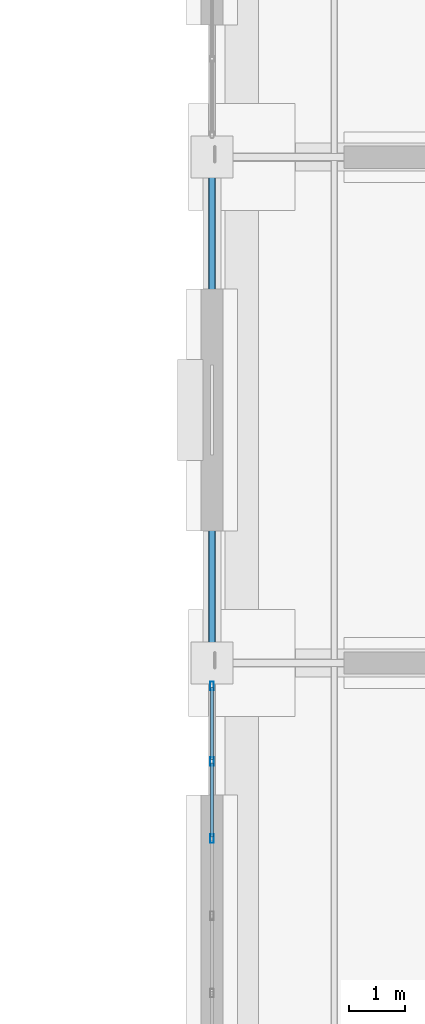
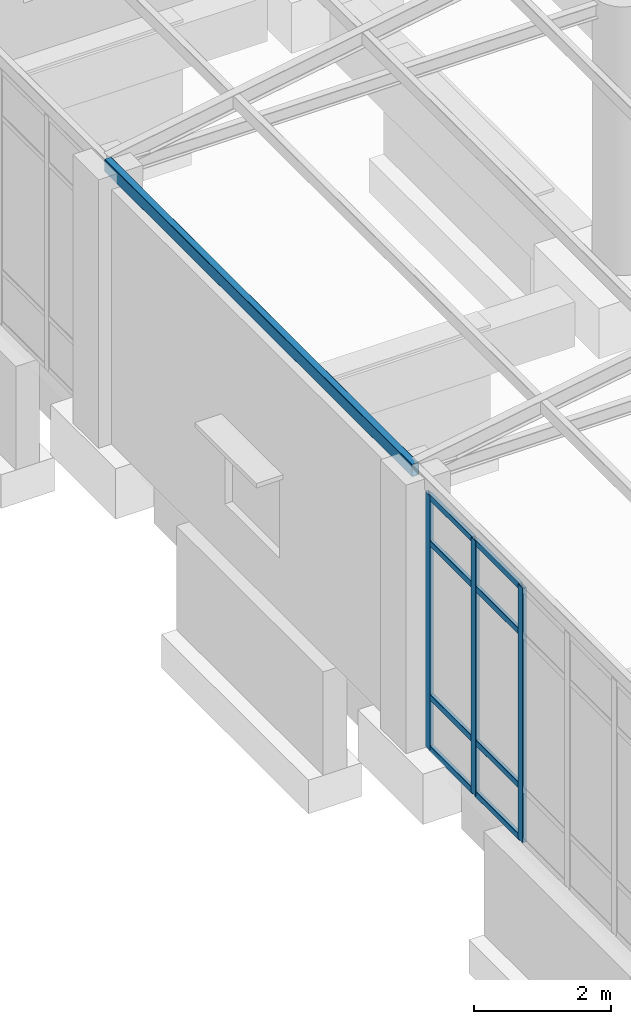
# One storey, part 66 of 111: 12 members, 1 element without a shape of its own.
"""IFC4 building model written with IfcOpenShell, lengths in metres."""

from ifc_helpers import new_model, si_unit, direction, frame, origin, origin_2d, place, context, subcontext, project, spatial, hollow_rectangle, extrude, material, material_profile, profile_set, type_object, element, aggregate, save


model = new_model("IFC4")

# Units and contexts
model_context = context("Model", 3, precision=1e-05, world=origin(), true_north=direction((0.0, 1.0)))
body_context = subcontext(model_context, "Body", "Model", "MODEL_VIEW")
ifc_project = project(units=[si_unit("LENGTHUNIT", "METRE"), si_unit("AREAUNIT", "SQUARE_METRE"), si_unit("VOLUMEUNIT", "CUBIC_METRE"), si_unit("PLANEANGLEUNIT", "RADIAN"), si_unit("MASSUNIT", "GRAM", prefix="KILO")], contexts=[model_context])

# Site, building, storey
site_placement = place(None, origin())
site = spatial("IfcSite", under=ifc_project, at=site_placement, CompositionType="ELEMENT")
building_placement = place(site_placement, origin())
building = spatial("IfcBuilding", under=site, at=building_placement, Name="Canglan Escarpment Cableway Terminal", CompositionType="ELEMENT")
storey_placement = place(building_placement, frame((0.0, 0.0, 4.800048828125)))
storey = spatial("IfcBuildingStorey", under=building, at=storey_placement, Name="L01", CompositionType="ELEMENT", Elevation=4.800048828125)

# Curtain wall, members
ifc_material_1 = material(Name="Anodized bronze aluminium and Low-E double glazing", Category="aluminium")
curtain_wall_type = type_object("IfcCurtainWallType", Name="CW-BAY-8250x4550", PredefinedType="NOTDEFINED", material=ifc_material_1)
curtain_wall_placement = place(storey_placement, origin())
curtain_wall = element("IfcCurtainWall", 1, at=curtain_wall_placement, inside=storey, type_object=curtain_wall_type, Name="Classical bay-between-piers glazed curtain wall CW-42", PredefinedType="NOTDEFINED")
ifc_material_2 = material(Name="Thermally broken anodized aluminium 6063-T6", Category="aluminium")
ifc_material_profile_1 = material_profile(ifc_material_2, hollow_rectangle(XDim=0.06494140625, YDim=0.14990234375, WallThickness=0.00341796875, InnerFilletRadius=0.00341796875, OuterFilletRadius=0.007080078125, at=origin_2d()), Name="ALU-MULL 65x150x3.5")
ifc_profile_set_1 = profile_set([ifc_material_profile_1], Name="Thermally broken anodized aluminium 6063-T6")
member_type_1 = type_object("IfcMemberType", Name="CWM-02", PredefinedType="MULLION", material=ifc_profile_set_1)
member_1_placement = place(storey_placement, frame((167.300048828125, 105.592529296875, 0.0), z_axis=(0.0, 0.0, 1.0), x_axis=(1.0, 0.0, 0.0)))
member_1 = element("IfcMember", 2, at=member_1_placement, type_object=member_type_1, Name="CW-42 mullion 1", PredefinedType="MULLION", context=body_context, shape_type="SweptSolid", body=[
    extrude(hollow_rectangle(XDim=0.06494140625, YDim=0.14990234375, WallThickness=0.00341796875, InnerFilletRadius=0.00341796875, OuterFilletRadius=0.007080078125, at=origin_2d()), origin(), (0.0, 0.0, 1.0), 4.550048828125),
])
member_2_placement = place(storey_placement, frame((167.300048828125, 104.25, 0.0), z_axis=(0.0, 0.0, 1.0), x_axis=(1.0, 0.0, 0.0)))
member_2 = element("IfcMember", 3, at=member_2_placement, type_object=member_type_1, Name="CW-42 mullion 2", PredefinedType="MULLION", context=body_context, shape_type="SweptSolid", body=[
    extrude(hollow_rectangle(XDim=0.06494140625, YDim=0.14990234375, WallThickness=0.00341796875, InnerFilletRadius=0.00341796875, OuterFilletRadius=0.007080078125, at=origin_2d()), origin(), (0.0, 0.0, 1.0), 4.550048828125),
])
member_3_placement = place(storey_placement, frame((167.300048828125, 102.875, 0.0), z_axis=(0.0, 0.0, 1.0), x_axis=(1.0, 0.0, 0.0)))
member_3 = element("IfcMember", 4, at=member_3_placement, type_object=member_type_1, Name="CW-42 mullion 3", PredefinedType="MULLION", context=body_context, shape_type="SweptSolid", body=[
    extrude(hollow_rectangle(XDim=0.06494140625, YDim=0.14990234375, WallThickness=0.00341796875, InnerFilletRadius=0.00341796875, OuterFilletRadius=0.007080078125, at=origin_2d()), origin(), (0.0, 0.0, 1.0), 4.550048828125),
])
ifc_material_profile_2 = material_profile(ifc_material_2, hollow_rectangle(XDim=0.06005859375, YDim=0.110107421875, WallThickness=0.0029296875, InnerFilletRadius=0.0029296875, OuterFilletRadius=0.006103515625, at=origin_2d()), Name="ALU-TRAN 60x110x3")
ifc_profile_set_2 = profile_set([ifc_material_profile_2], Name="Thermally broken anodized aluminium 6063-T6")
member_type_2 = type_object("IfcMemberType", Name="CWT-02", PredefinedType="USERDEFINED", material=ifc_profile_set_2)
member_4_placement = place(storey_placement, frame((167.300048828125, 105.56005859375, 0.030029296875), z_axis=(0.0, -1.0, 0.0), x_axis=(1.0, 0.0, 0.0)))
member_4 = element("IfcMember", 5, at=member_4_placement, type_object=member_type_2, Name="CW-42 transom 1.1", ObjectType="TRANSOM", PredefinedType="USERDEFINED", context=body_context, shape_type="SweptSolid", body=[
    extrude(hollow_rectangle(XDim=0.06005859375, YDim=0.110107421875, WallThickness=0.0029296875, InnerFilletRadius=0.0029296875, OuterFilletRadius=0.006103515625, at=origin_2d()), origin(), (0.0, 0.0, 1.0), 1.277587890625),
])
member_5_placement = place(storey_placement, frame((167.300048828125, 105.56005859375, 0.949951171875), z_axis=(0.0, -1.0, 0.0), x_axis=(1.0, 0.0, 0.0)))
member_5 = element("IfcMember", 6, at=member_5_placement, type_object=member_type_2, Name="CW-42 transom 1.2", ObjectType="TRANSOM", PredefinedType="USERDEFINED", context=body_context, shape_type="SweptSolid", body=[
    extrude(hollow_rectangle(XDim=0.06005859375, YDim=0.110107421875, WallThickness=0.0029296875, InnerFilletRadius=0.0029296875, OuterFilletRadius=0.006103515625, at=origin_2d()), origin(), (0.0, 0.0, 1.0), 1.277587890625),
])
member_6_placement = place(storey_placement, frame((167.300048828125, 105.56005859375, 3.699951171875), z_axis=(0.0, -1.0, 0.0), x_axis=(1.0, 0.0, 0.0)))
member_6 = element("IfcMember", 7, at=member_6_placement, type_object=member_type_2, Name="CW-42 transom 1.3", ObjectType="TRANSOM", PredefinedType="USERDEFINED", context=body_context, shape_type="SweptSolid", body=[
    extrude(hollow_rectangle(XDim=0.06005859375, YDim=0.110107421875, WallThickness=0.0029296875, InnerFilletRadius=0.0029296875, OuterFilletRadius=0.006103515625, at=origin_2d()), origin(), (0.0, 0.0, 1.0), 1.277587890625),
])
member_7_placement = place(storey_placement, frame((167.300048828125, 105.56005859375, 4.52001953125), z_axis=(0.0, -1.0, 0.0), x_axis=(1.0, 0.0, 0.0)))
member_7 = element("IfcMember", 8, at=member_7_placement, type_object=member_type_2, Name="CW-42 transom 1.4", ObjectType="TRANSOM", PredefinedType="USERDEFINED", context=body_context, shape_type="SweptSolid", body=[
    extrude(hollow_rectangle(XDim=0.06005859375, YDim=0.110107421875, WallThickness=0.0029296875, InnerFilletRadius=0.0029296875, OuterFilletRadius=0.006103515625, at=origin_2d()), origin(), (0.0, 0.0, 1.0), 1.277587890625),
])
member_8_placement = place(storey_placement, frame((167.300048828125, 104.217529296875, 0.030029296875), z_axis=(0.0, -1.0, 0.0), x_axis=(1.0, 0.0, 0.0)))
member_8 = element("IfcMember", 9, at=member_8_placement, type_object=member_type_2, Name="CW-42 transom 2.1", ObjectType="TRANSOM", PredefinedType="USERDEFINED", context=body_context, shape_type="SweptSolid", body=[
    extrude(hollow_rectangle(XDim=0.06005859375, YDim=0.110107421875, WallThickness=0.0029296875, InnerFilletRadius=0.0029296875, OuterFilletRadius=0.006103515625, at=origin_2d()), origin(), (0.0, 0.0, 1.0), 1.31005859375),
])
member_9_placement = place(storey_placement, frame((167.300048828125, 104.217529296875, 0.949951171875), z_axis=(0.0, -1.0, 0.0), x_axis=(1.0, 0.0, 0.0)))
member_9 = element("IfcMember", 10, at=member_9_placement, type_object=member_type_2, Name="CW-42 transom 2.2", ObjectType="TRANSOM", PredefinedType="USERDEFINED", context=body_context, shape_type="SweptSolid", body=[
    extrude(hollow_rectangle(XDim=0.06005859375, YDim=0.110107421875, WallThickness=0.0029296875, InnerFilletRadius=0.0029296875, OuterFilletRadius=0.006103515625, at=origin_2d()), origin(), (0.0, 0.0, 1.0), 1.31005859375),
])
member_10_placement = place(storey_placement, frame((167.300048828125, 104.217529296875, 3.699951171875), z_axis=(0.0, -1.0, 0.0), x_axis=(1.0, 0.0, 0.0)))
member_10 = element("IfcMember", 11, at=member_10_placement, type_object=member_type_2, Name="CW-42 transom 2.3", ObjectType="TRANSOM", PredefinedType="USERDEFINED", context=body_context, shape_type="SweptSolid", body=[
    extrude(hollow_rectangle(XDim=0.06005859375, YDim=0.110107421875, WallThickness=0.0029296875, InnerFilletRadius=0.0029296875, OuterFilletRadius=0.006103515625, at=origin_2d()), origin(), (0.0, 0.0, 1.0), 1.31005859375),
])
member_11_placement = place(storey_placement, frame((167.300048828125, 104.217529296875, 4.52001953125), z_axis=(0.0, -1.0, 0.0), x_axis=(1.0, 0.0, 0.0)))
member_11 = element("IfcMember", 12, at=member_11_placement, type_object=member_type_2, Name="CW-42 transom 2.4", ObjectType="TRANSOM", PredefinedType="USERDEFINED", context=body_context, shape_type="SweptSolid", body=[
    extrude(hollow_rectangle(XDim=0.06005859375, YDim=0.110107421875, WallThickness=0.0029296875, InnerFilletRadius=0.0029296875, OuterFilletRadius=0.006103515625, at=origin_2d()), origin(), (0.0, 0.0, 1.0), 1.31005859375),
])
aggregate(curtain_wall, [member_1, member_2, member_3, member_4, member_5, member_6, member_7, member_8, member_9, member_10, member_11])

# Member
ifc_material_3 = material(Name="Steel Q355B", Category="steel")
ifc_material_profile_3 = material_profile(ifc_material_3, hollow_rectangle(XDim=0.1201171875, YDim=0.219970703125, WallThickness=0.006103515625, InnerFilletRadius=0.006103515625, OuterFilletRadius=0.011962890625, at=origin_2d()), Name="RHS 220x120x6")
ifc_profile_set_3 = profile_set([ifc_material_profile_3], Name="Steel Q355B")
member_type_3 = type_object("IfcMemberType", Name="MB-PAV-PUR-RHS220", PredefinedType="PURLIN", material=ifc_profile_set_3)
member_12_placement = place(storey_placement, frame((167.300048828125, 106.0, 4.719970703125), z_axis=(0.0, 1.0, 0.0), x_axis=(-1.0, 0.0, 0.0)))
element("IfcMember", 13, at=member_12_placement, inside=storey, type_object=member_type_3, Name="Colonnade canopy purlin PR-03", PredefinedType="PURLIN", context=body_context, shape_type="SweptSolid", body=[
    extrude(hollow_rectangle(XDim=0.1201171875, YDim=0.219970703125, WallThickness=0.006103515625, InnerFilletRadius=0.006103515625, OuterFilletRadius=0.011962890625, at=origin_2d()), origin(), (0.0, 0.0, 1.0), 9.0),
])

save(model, "model.ifc")
